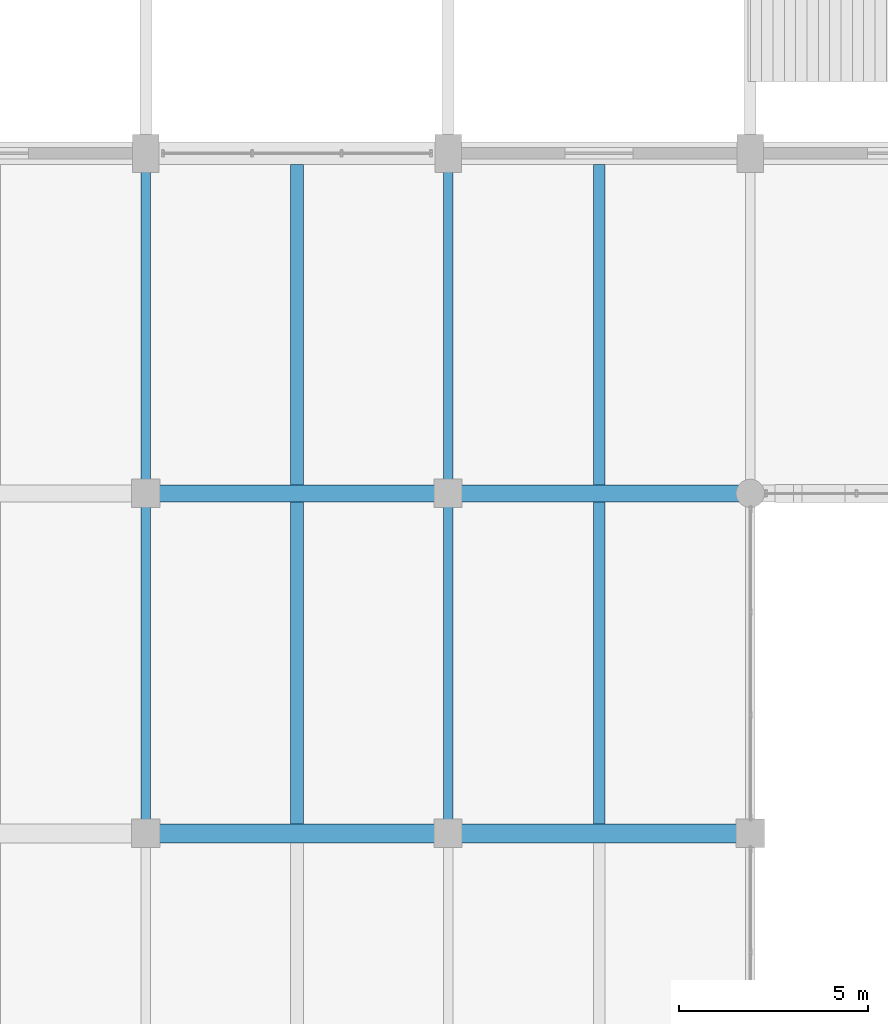
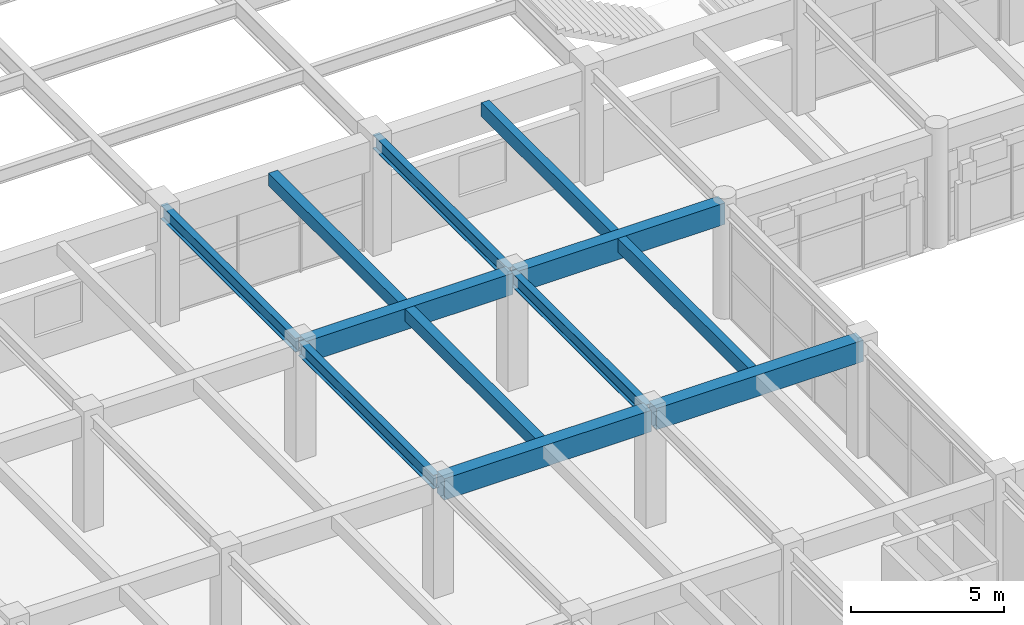
# One storey, part 20 of 144: 12 beams.
"""IFC4 building model written with IfcOpenShell, lengths in metres."""

from ifc_helpers import new_model, si_unit, direction, frame, origin, origin_2d, place, context, subcontext, project, spatial, rectangle, i_section, extrude, material, material_profile, profile_set, type_object, element, save


model = new_model("IFC4")

# Units and contexts
model_context = context("Model", 3, precision=1e-05, world=origin(), true_north=direction((0.0, 1.0)))
body_context = subcontext(model_context, "Body", "Model", "MODEL_VIEW")
ifc_project = project(units=[si_unit("LENGTHUNIT", "METRE"), si_unit("AREAUNIT", "SQUARE_METRE"), si_unit("VOLUMEUNIT", "CUBIC_METRE"), si_unit("PLANEANGLEUNIT", "RADIAN"), si_unit("MASSUNIT", "GRAM", prefix="KILO")], contexts=[model_context])

# Site, building, storey
site_placement = place(None, origin())
site = spatial("IfcSite", under=ifc_project, at=site_placement, CompositionType="ELEMENT")
building_placement = place(site_placement, origin())
building = spatial("IfcBuilding", under=site, at=building_placement, Name="Varnabhumi Central Station", CompositionType="ELEMENT")
storey_placement = place(building_placement, frame((0.0, 0.0, 4.800048828125)))
storey = spatial("IfcBuildingStorey", under=building, at=storey_placement, Name="L01", CompositionType="ELEMENT", Elevation=4.800048828125)

# Beams
ifc_material_1 = material(Name="Concrete M40", Category="concrete")
ifc_material_profile_1 = material_profile(ifc_material_1, rectangle(XDim=0.300048828125, YDim=0.550048828125, at=origin_2d()), Name="Concrete M40", Category="concrete")
ifc_profile_set_1 = profile_set([ifc_material_profile_1], Name="Concrete M40")
beam_type_1 = type_object("IfcBeamType", Name="BM-RC-300x550", PredefinedType="JOIST", material=ifc_profile_set_1)
beam_1_placement = place(storey_placement, frame((108.0, 18.25, 4.27490234375), z_axis=(0.0, 1.0, 0.0), x_axis=(-1.0, 0.0, 0.0)))
element("IfcBeam", 1, at=beam_1_placement, inside=storey, type_object=beam_type_1, Name="Secondary Joist L01-14/15:C-D", PredefinedType="JOIST", context=body_context, shape_type="SweptSolid", body=[
    extrude(rectangle(XDim=0.300048828125, YDim=0.550048828125, at=origin_2d()), origin(), (0.0, 0.0, 1.0), 8.52490234375),
])
beam_2_placement = place(storey_placement, frame((108.0, 27.22509765625, 4.27490234375), z_axis=(0.0, 1.0, 0.0), x_axis=(-1.0, 0.0, 0.0)))
element("IfcBeam", 2, at=beam_2_placement, inside=storey, type_object=beam_type_1, Name="Secondary Joist L01-14/15:D-E", PredefinedType="JOIST", context=body_context, shape_type="SweptSolid", body=[
    extrude(rectangle(XDim=0.300048828125, YDim=0.550048828125, at=origin_2d()), origin(), (0.0, 0.0, 1.0), 8.474853515625),
])
ifc_material_profile_2 = material_profile(ifc_material_1, rectangle(XDim=0.35009765625, YDim=0.5, at=origin_2d()), Name="Concrete M40", Category="concrete")
ifc_profile_set_2 = profile_set([ifc_material_profile_2], Name="Concrete M40")
beam_type_2 = type_object("IfcBeamType", Name="BM-RC-350x500", PredefinedType="JOIST", material=ifc_profile_set_2)
beam_3_placement = place(storey_placement, frame((100.0, 18.25, 4.300048828125), z_axis=(0.0, 1.0, 0.0), x_axis=(-1.0, 0.0, 0.0)))
element("IfcBeam", 3, at=beam_3_placement, inside=storey, type_object=beam_type_2, Name="Secondary Joist L01-13/14:C-D", PredefinedType="JOIST", context=body_context, shape_type="SweptSolid", body=[
    extrude(rectangle(XDim=0.35009765625, YDim=0.5, at=origin_2d()), origin(), (0.0, 0.0, 1.0), 8.52490234375),
])
beam_4_placement = place(storey_placement, frame((100.0, 27.22509765625, 4.300048828125), z_axis=(0.0, 1.0, 0.0), x_axis=(-1.0, 0.0, 0.0)))
element("IfcBeam", 4, at=beam_4_placement, inside=storey, type_object=beam_type_2, Name="Secondary Joist L01-13/14:D-E", PredefinedType="JOIST", context=body_context, shape_type="SweptSolid", body=[
    extrude(rectangle(XDim=0.35009765625, YDim=0.5, at=origin_2d()), origin(), (0.0, 0.0, 1.0), 8.474853515625),
])
ifc_material_profile_3 = material_profile(ifc_material_1, rectangle(XDim=0.449951171875, YDim=0.85009765625, at=origin_2d()), Name="Concrete M40", Category="concrete")
ifc_profile_set_3 = profile_set([ifc_material_profile_3], Name="Concrete M40")
beam_type_3 = type_object("IfcBeamType", Name="BM-RC-450x850", PredefinedType="BEAM", material=ifc_profile_set_3)
for number, where, z_axis, x_axis, name in (
    (5, (96.10009765625, 27.0, 4.125), (1.0, 0.0, 0.0), (0.0, 1.0, 0.0), "Beam L01-D:13-14"),
    (6, (104.10009765625, 27.0, 4.125), (1.0, 0.0, 0.0), (0.0, 1.0, 0.0), "Beam L01-D:14-15"),
):
    element("IfcBeam", number, at=place(storey_placement, frame(where, z_axis=z_axis, x_axis=x_axis)), inside=storey, type_object=beam_type_3, Name=name, PredefinedType="BEAM", context=body_context, shape_type="SweptSolid", body=[
        extrude(rectangle(XDim=0.449951171875, YDim=0.85009765625, at=origin_2d()), origin(), (0.0, 0.0, 1.0), 7.7998046875),
    ])
ifc_material_profile_4 = material_profile(ifc_material_1, rectangle(XDim=0.5, YDim=0.85009765625, at=origin_2d()), Name="Concrete M40", Category="concrete")
ifc_profile_set_4 = profile_set([ifc_material_profile_4], Name="Concrete M40")
beam_type_4 = type_object("IfcBeamType", Name="BM-RC-500x850", PredefinedType="BEAM", material=ifc_profile_set_4)
for number, where, z_axis, x_axis, name in (
    (7, (96.10009765625, 18.0, 4.125), (1.0, 0.0, 0.0), (0.0, 1.0, 0.0), "Beam L01-C:13-14"),
    (8, (104.10009765625, 18.0, 4.125), (1.0, 0.0, 0.0), (0.0, 1.0, 0.0), "Beam L01-C:14-15"),
):
    element("IfcBeam", number, at=place(storey_placement, frame(where, z_axis=z_axis, x_axis=x_axis)), inside=storey, type_object=beam_type_4, Name=name, PredefinedType="BEAM", context=body_context, shape_type="SweptSolid", body=[
        extrude(rectangle(XDim=0.5, YDim=0.85009765625, at=origin_2d()), origin(), (0.0, 0.0, 1.0), 7.7998046875),
    ])
ifc_material_2 = material(Name="Structural steel E350", Category="steel")
ifc_material_profile_5 = material_profile(ifc_material_2, i_section(OverallWidth=0.25, OverallDepth=0.550048828125, WebThickness=0.010498046875, FlangeThickness=0.017578125, FilletRadius=0.01611328125, at=origin_2d()), Name="Structural steel E350", Category="steel")
ifc_profile_set_5 = profile_set([ifc_material_profile_5], Name="Structural steel E350")
beam_type_5 = type_object("IfcBeamType", Name="BM-STL-ISWB550", PredefinedType="BEAM", material=ifc_profile_set_5)
for number, where, z_axis, x_axis, name in (
    (9, (96.0, 18.10009765625, 4.27490234375), (0.0, 1.0, 0.0), (-1.0, 0.0, 0.0), "Beam L01-13:C-D"),
    (10, (104.0, 18.10009765625, 4.27490234375), (0.0, 1.0, 0.0), (-1.0, 0.0, 0.0), "Beam L01-14:C-D"),
    (11, (96.0, 27.10009765625, 4.27490234375), (0.0, 1.0, 0.0), (-1.0, 0.0, 0.0), "Beam L01-13:D-E"),
    (12, (104.0, 27.10009765625, 4.27490234375), (0.0, 1.0, 0.0), (-1.0, 0.0, 0.0), "Beam L01-14:D-E"),
):
    element("IfcBeam", number, at=place(storey_placement, frame(where, z_axis=z_axis, x_axis=x_axis)), inside=storey, type_object=beam_type_5, Name=name, PredefinedType="BEAM", context=body_context, shape_type="SweptSolid", body=[
        extrude(i_section(OverallWidth=0.25, OverallDepth=0.550048828125, WebThickness=0.010498046875, FlangeThickness=0.017578125, FilletRadius=0.01611328125, at=origin_2d()), origin(), (0.0, 0.0, 1.0), 8.7998046875),
    ])

save(model, "model.ifc")
